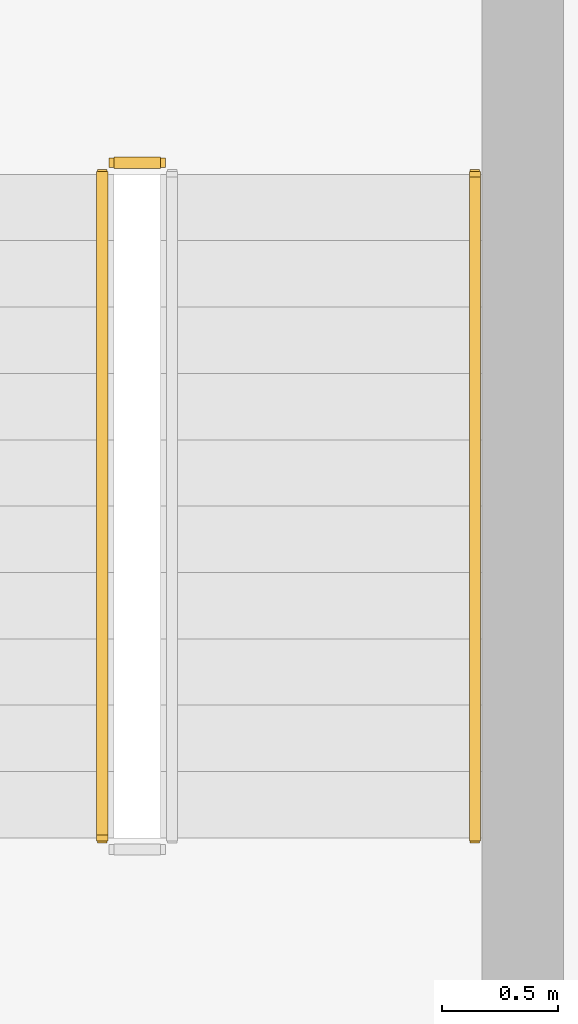
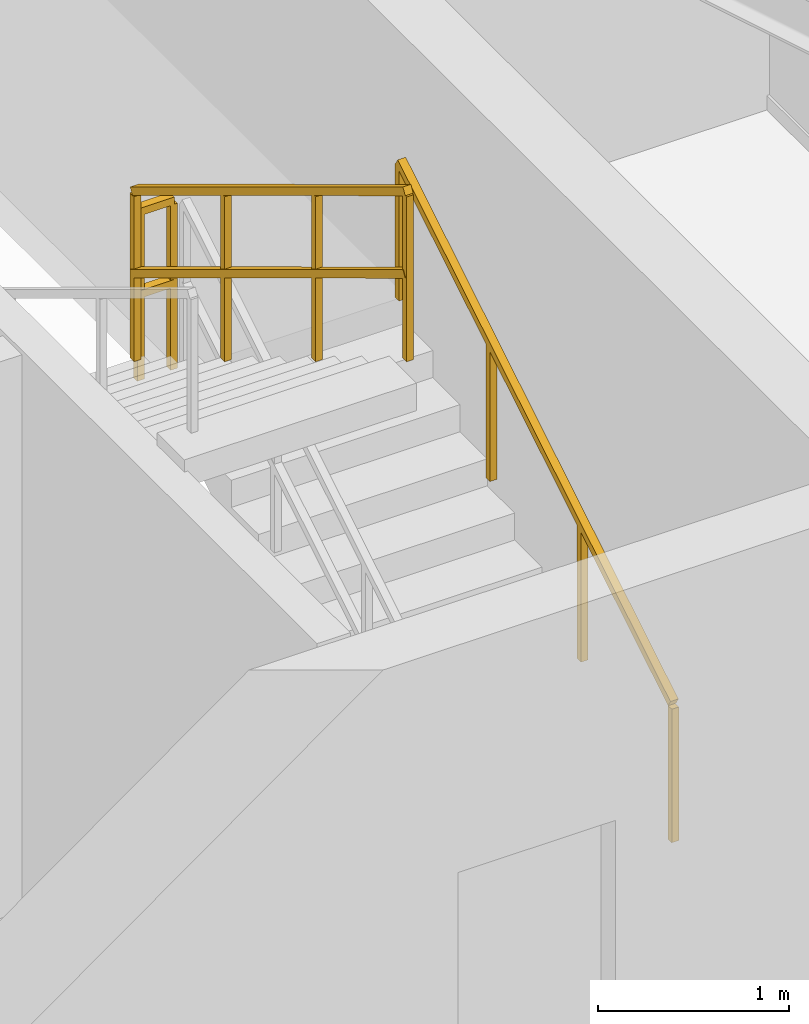
# One storey, part 24 of 24: 3 railings.
"""IFC4 building model written with IfcOpenShell, lengths in metres."""

from ifc_helpers import new_model, si_unit, direction, frame, origin, origin_2d, place, context, subcontext, project, spatial, rectangle, extrude, material, type_object, element, save


model = new_model("IFC4")

# Units and contexts
model_context = context("Model", 3, precision=1e-05, world=origin(), true_north=direction((0.0, 1.0)))
body_context = subcontext(model_context, "Body", "Model", "MODEL_VIEW")
ifc_project = project(units=[si_unit("LENGTHUNIT", "METRE"), si_unit("AREAUNIT", "SQUARE_METRE"), si_unit("VOLUMEUNIT", "CUBIC_METRE"), si_unit("PLANEANGLEUNIT", "RADIAN"), si_unit("MASSUNIT", "GRAM", prefix="KILO")], contexts=[model_context])

# Site, building, storey
site_placement = place(None, origin())
site = spatial("IfcSite", under=ifc_project, at=site_placement, CompositionType="ELEMENT")
building_placement = place(site_placement, origin())
building = spatial("IfcBuilding", under=site, at=building_placement, Name="Varnel Quay Broadcast Tower", CompositionType="ELEMENT")
storey_placement = place(building_placement, frame((0.0, 0.0, 281.199951171875)))
storey = spatial("IfcBuildingStorey", under=building, at=storey_placement, Name="L70", CompositionType="ELEMENT", Elevation=281.199951171875)

# Railings
ifc_material = material(Name="Painted Steel Guard and Handrail CSA G40.21 350W", Category="steel")
railing_type_1 = type_object("IfcRailingType", Name="Rail_StairGuard1100", PredefinedType="GUARDRAIL", material=ifc_material)
railing_1_placement = place(storey_placement, frame((50.60009765625, 40.64990234375, 1.900146484375)))
element("IfcRailing", 1, at=railing_1_placement, inside=storey, type_object=railing_type_1, Name="L70 ST-02 stair guard 2", PredefinedType="GUARDRAIL", context=body_context, shape_type="SweptSolid", body=[
    extrude(rectangle(XDim=0.048095703125, YDim=0.048095703125, at=origin_2d()), frame((0.0, 0.0, 1.076171875), z_axis=(-1.0, 0.0, 0.0), x_axis=(0.0, -1.0, 0.0)), (0.0, 0.0, 1.0), 0.2001953125),
    extrude(rectangle(XDim=0.048095703125, YDim=0.048095703125, at=origin_2d()), frame((0.0, 0.0, 0.550048828125), z_axis=(-1.0, 0.0, 0.0), x_axis=(0.0, -1.0, 0.0)), (0.0, 0.0, 1.0), 0.2001953125),
    extrude(rectangle(XDim=0.0419921875, YDim=0.0419921875, at=origin_2d()), origin(), (0.0, 0.0, 1.0), 1.052001953125),
    extrude(rectangle(XDim=0.0419921875, YDim=0.0419921875, at=origin_2d()), frame((-0.2001953125, 0.0, 0.0)), (0.0, 0.0, 1.0), 1.052001953125),
])
railing_2_placement = place(storey_placement, frame((50.35009765625, 40.60009765625, 2.07275390625)))
element("IfcRailing", 2, at=railing_2_placement, inside=storey, type_object=railing_type_1, Name="L70 ST-02 stair guard 3", PredefinedType="GUARDRAIL", context=body_context, shape_type="SweptSolid", body=[
    extrude(rectangle(XDim=0.048095703125, YDim=0.048095703125, at=origin_2d()), frame((0.0, 0.0, 1.076171875), z_axis=(0.0, -0.855202751398, 0.518293598264), x_axis=(1.0, 0.0, 0.0)), (0.0, 0.0, 1.0), 3.332763671875),
    extrude(rectangle(XDim=0.048095703125, YDim=0.048095703125, at=origin_2d()), frame((0.0, 0.0, 0.550048828125), z_axis=(0.0, -0.855202751398, 0.518293598264), x_axis=(1.0, 0.0, 0.0)), (0.0, 0.0, 1.0), 3.332763671875),
    extrude(rectangle(XDim=0.0419921875, YDim=0.0419921875, at=origin_2d()), origin(), (0.0, 0.0, 1.0), 1.052001953125),
    extrude(rectangle(XDim=0.0419921875, YDim=0.0419921875, at=origin_2d()), frame((0.0, -0.949951171875, 0.57568359375)), (0.0, 0.0, 1.0), 1.052001953125),
    extrude(rectangle(XDim=0.0419921875, YDim=0.0419921875, at=origin_2d()), frame((0.0, -1.900146484375, 1.151611328125)), (0.0, 0.0, 1.0), 1.052001953125),
    extrude(rectangle(XDim=0.0419921875, YDim=0.0419921875, at=origin_2d()), frame((0.0, -2.85009765625, 1.727294921875)), (0.0, 0.0, 1.0), 1.052001953125),
])
railing_type_2 = type_object("IfcRailingType", Name="Rail_StairHandrail900", PredefinedType="HANDRAIL", material=ifc_material)
railing_3_placement = place(storey_placement, frame((51.949951171875, 37.75, 0.1728515625)))
element("IfcRailing", 3, at=railing_3_placement, inside=storey, type_object=railing_type_2, Name="L70 ST-02 stair handrail 1", PredefinedType="HANDRAIL", context=body_context, shape_type="SweptSolid", body=[
    extrude(rectangle(XDim=0.048095703125, YDim=0.048095703125, at=origin_2d()), frame((0.0, 0.0, 0.8759765625), z_axis=(0.0, 0.855202751398, 0.518293598264), x_axis=(-1.0, 0.0, 0.0)), (0.0, 0.0, 1.0), 3.332763671875),
    extrude(rectangle(XDim=0.0419921875, YDim=0.0419921875, at=origin_2d()), origin(), (0.0, 0.0, 1.0), 0.851806640625),
    extrude(rectangle(XDim=0.0419921875, YDim=0.0419921875, at=origin_2d()), frame((0.0, 0.949951171875, 0.57568359375)), (0.0, 0.0, 1.0), 0.851806640625),
    extrude(rectangle(XDim=0.0419921875, YDim=0.0419921875, at=origin_2d()), frame((0.0, 1.900146484375, 1.151611328125)), (0.0, 0.0, 1.0), 0.851806640625),
    extrude(rectangle(XDim=0.0419921875, YDim=0.0419921875, at=origin_2d()), frame((0.0, 2.85009765625, 1.727294921875)), (0.0, 0.0, 1.0), 0.851806640625),
])

save(model, "model.ifc")
